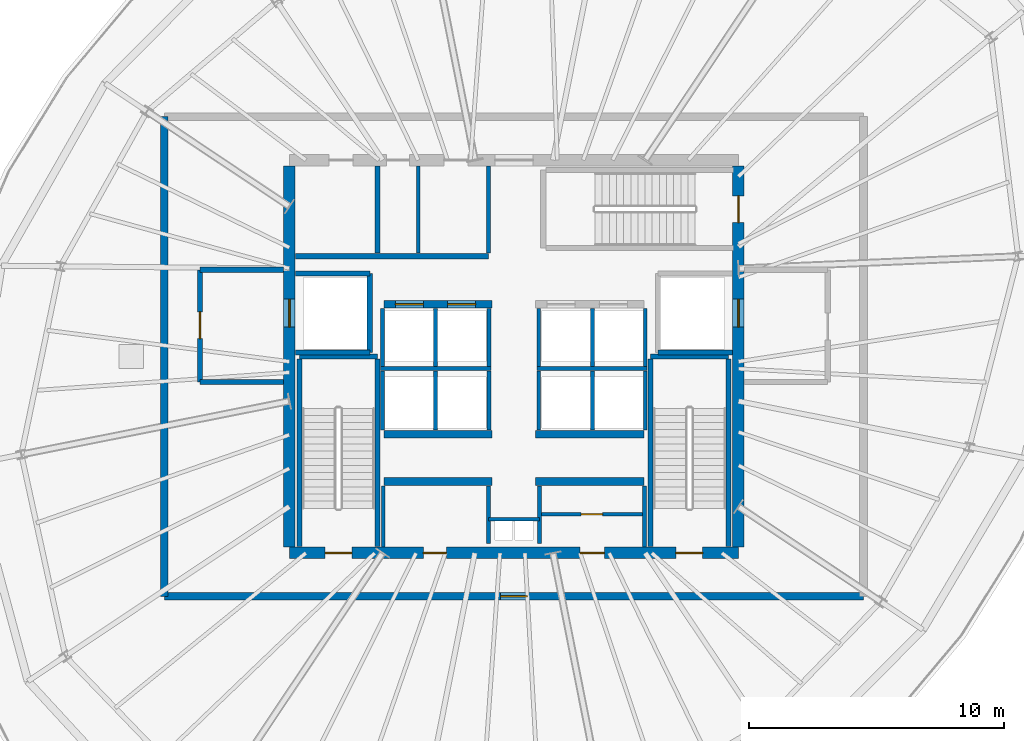
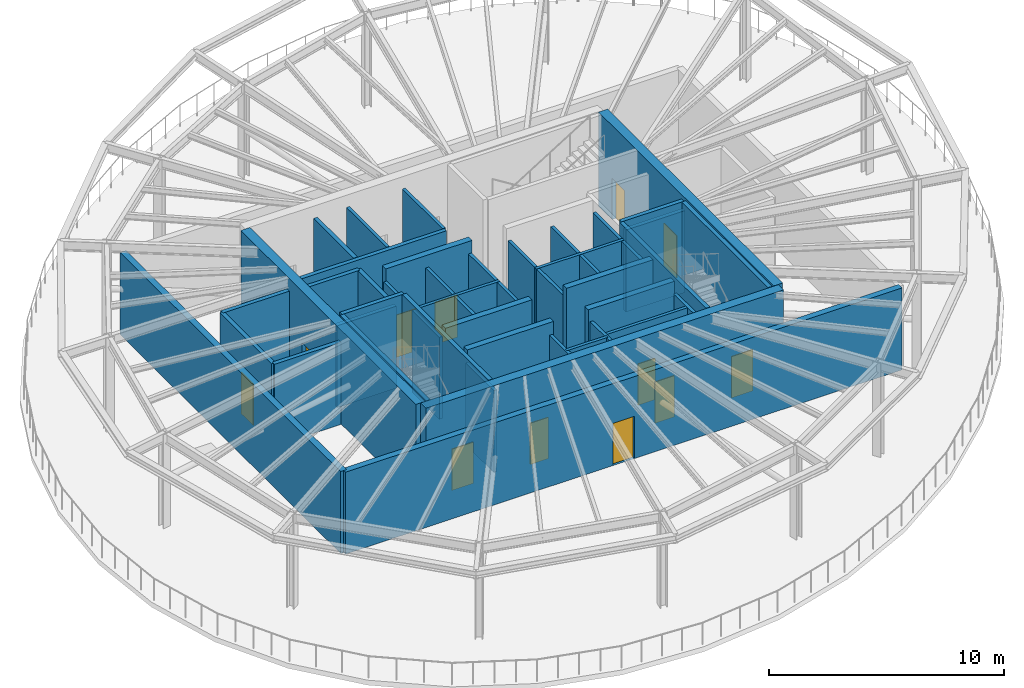
# One storey, part 4 of 8: 47 walls, 12 doors, 12 openings.
"""IFC4 building model written with IfcOpenShell, lengths in metres."""

from ifc_helpers import new_model, si_unit, direction, frame, frame_2d, origin, place, context, subcontext, project, spatial, rectangle, extrude, source, transform, mapped, material, layer, layer_set, type_object, element, fill, save


model = new_model("IFC4")

# Units and contexts
model_context = context("Model", 3, precision=1e-05, world=origin(), true_north=direction((0.0, 1.0)))
body_context = subcontext(model_context, "Body", "Model", "MODEL_VIEW")
ifc_project = project(units=[si_unit("LENGTHUNIT", "METRE"), si_unit("AREAUNIT", "SQUARE_METRE"), si_unit("VOLUMEUNIT", "CUBIC_METRE"), si_unit("PLANEANGLEUNIT", "RADIAN"), si_unit("MASSUNIT", "GRAM", prefix="KILO"), si_unit("THERMODYNAMICTEMPERATUREUNIT", "KELVIN")], contexts=[model_context])

# Site, building, storey
site_placement = place(None, origin())
site = spatial("IfcSite", under=ifc_project, at=site_placement, CompositionType="ELEMENT")
building_placement = place(site_placement, origin())
building = spatial("IfcBuilding", under=site, at=building_placement, Name="Kethvar Cultural Tower", CompositionType="ELEMENT")
storey_placement = place(building_placement, frame((0.0, 0.0, 218.39990234375)))
storey = spatial("IfcBuildingStorey", under=building, at=storey_placement, Name="L57", CompositionType="ELEMENT", Elevation=218.39990234375)

# Wall, openings, doors
ifc_material_1 = material(Name="Concrete C50/60", Category="concrete")
ifc_layer_1 = layer(ifc_material_1, 0.449951171875, Name="Concrete C50/60", Category="concrete")
ifc_layer_set_1 = layer_set([ifc_layer_1], Name="Concrete C50/60 (450 mm)")
wall_type_1 = type_object("IfcWallType", Name="WL-CORE-450", PredefinedType="SHEAR", material=ifc_layer_set_1)
wall_1_placement = place(storey_placement, frame((38.0, 20.10009765625, 0.0), z_axis=(0.0, 0.0, 1.0), x_axis=(1.0, 0.0, 0.0)))
wall_1 = element("IfcWall", 1, at=wall_1_placement, inside=storey, type_object=wall_type_1, Name="L57 Core Shear Wall S", PredefinedType="SHEAR", context=body_context, shape_type="SweptSolid", body=[
    extrude(rectangle(XDim=17.60009765625, YDim=0.449951171875, at=frame_2d((8.800048828125, 0.0))), origin(), (0.0, 0.0, 1.0), 4.89013671875),
])
opening_1_placement = place(wall_1_placement, frame((1.39990234375, 0.0, 0.0)))
opening_1 = element("IfcOpeningElement", 2, at=opening_1_placement, cuts=wall_1, Name="Opening D-L57-S1", PredefinedType="OPENING", context=body_context, shape_type="SweptSolid", body=[
    extrude(rectangle(XDim=1.050048828125, YDim=2.14990234375, at=frame_2d((0.52490234375, 1.074951171875))), frame((0.0, 0.23486328125, 0.0), z_axis=(0.0, -1.0, 0.0), x_axis=(1.0, 0.0, 0.0)), (0.0, 0.0, 1.0), 0.469970703125),
])
opening_2_placement = place(wall_1_placement, frame((15.14990234375, 0.0, 0.0)))
opening_2 = element("IfcOpeningElement", 3, at=opening_2_placement, cuts=wall_1, Name="Opening D-L57-ST2", PredefinedType="OPENING", context=body_context, shape_type="SweptSolid", body=[
    extrude(rectangle(XDim=1.050048828125, YDim=2.14990234375, at=frame_2d((0.52490234375, 1.074951171875))), frame((0.0, 0.23486328125, 0.0), z_axis=(0.0, -1.0, 0.0), x_axis=(1.0, 0.0, 0.0)), (0.0, 0.0, 1.0), 0.469970703125),
])
opening_3_placement = place(wall_1_placement, frame((5.25, 0.0, 0.0)))
opening_3 = element("IfcOpeningElement", 4, at=opening_3_placement, cuts=wall_1, Name="Opening D-L57-V1", PredefinedType="OPENING", context=body_context, shape_type="SweptSolid", body=[
    extrude(rectangle(XDim=0.89990234375, YDim=2.14990234375, at=frame_2d((0.449951171875, 1.074951171875))), frame((0.0, 0.23486328125, 0.0), z_axis=(0.0, -1.0, 0.0), x_axis=(1.0, 0.0, 0.0)), (0.0, 0.0, 1.0), 0.469970703125),
])
opening_4_placement = place(wall_1_placement, frame((11.39990234375, 0.0, 0.0)))
opening_4 = element("IfcOpeningElement", 5, at=opening_4_placement, cuts=wall_1, Name="Opening D-L57-V2", PredefinedType="OPENING", context=body_context, shape_type="SweptSolid", body=[
    extrude(rectangle(XDim=0.949951171875, YDim=2.14990234375, at=frame_2d((0.47509765625, 1.074951171875))), frame((0.0, 0.23486328125, 0.0), z_axis=(0.0, -1.0, 0.0), x_axis=(1.0, 0.0, 0.0)), (0.0, 0.0, 1.0), 0.469970703125),
])
ifc_material_2 = material(Name="Steel S355J2", Category="steel")
door_type_1 = type_object("IfcDoorType", Name="DR-FD60-1050", OperationType="NOTDEFINED", PredefinedType="DOOR", material=ifc_material_2)
shared_shape_1 = source(origin(), body_context, "Body", "SweptSolid", [
    extrude(rectangle(XDim=1.050048828125, YDim=2.14990234375, at=frame_2d((0.52490234375, 1.074951171875))), frame((0.0, 0.02490234375, 0.0), z_axis=(0.0, -1.0, 0.0), x_axis=(1.0, 0.0, 0.0)), (0.0, 0.0, 1.0), 0.050048828125),
])
door_1_placement = place(opening_1_placement, origin())
door_1 = element("IfcDoor", 6, at=door_1_placement, inside=storey, type_object=door_type_1, Name="L57 Exit Stair 1 Door", OperationType="SINGLE_SWING_LEFT", OverallHeight=2.14990234375, OverallWidth=1.050048828125, PredefinedType="DOOR", context=body_context, shape_type="MappedRepresentation", body=[
    mapped(shared_shape_1, transform((0.0, 0.0, 0.0), scale=1.0)),
])
fill(opening_1, door_1)
door_2_placement = place(opening_2_placement, origin())
door_2 = element("IfcDoor", 7, at=door_2_placement, inside=storey, type_object=door_type_1, Name="L57 Exit Stair 2 Door", OperationType="SINGLE_SWING_RIGHT", OverallHeight=2.14990234375, OverallWidth=1.050048828125, PredefinedType="DOOR", context=body_context, shape_type="MappedRepresentation", body=[
    mapped(shared_shape_1, transform((0.0, 0.0, 0.0), scale=1.0)),
])
fill(opening_2, door_2)
ifc_material_3 = material(Name="Architectural Oak Timber", Category="wood")
door_type_2 = type_object("IfcDoorType", Name="DR-FD30-950", OperationType="NOTDEFINED", PredefinedType="DOOR", material=ifc_material_3)
shared_shape_2 = source(origin(), body_context, "Body", "SweptSolid", [
    extrude(rectangle(XDim=0.949951171875, YDim=2.14990234375, at=frame_2d((0.47509765625, 1.074951171875))), frame((0.0, 0.02490234375, 0.0), z_axis=(0.0, -1.0, 0.0), x_axis=(1.0, 0.0, 0.0)), (0.0, 0.0, 1.0), 0.050048828125),
])
door_3_placement = place(opening_4_placement, origin())
door_3 = element("IfcDoor", 8, at=door_3_placement, inside=storey, type_object=door_type_2, Name="L57 Bindery Supply Door", OperationType="SINGLE_SWING_RIGHT", OverallHeight=2.14990234375, OverallWidth=0.949951171875, PredefinedType="DOOR", context=body_context, shape_type="MappedRepresentation", body=[
    mapped(shared_shape_2, transform((0.0, 0.0, 0.0), scale=1.0)),
])
fill(opening_4, door_3)
door_type_3 = type_object("IfcDoorType", Name="DR-FD30-900", OperationType="NOTDEFINED", PredefinedType="DOOR", material=ifc_material_3)
shared_shape_3 = source(origin(), body_context, "Body", "SweptSolid", [
    extrude(rectangle(XDim=0.89990234375, YDim=2.14990234375, at=frame_2d((0.449951171875, 1.074951171875))), frame((0.0, 0.02490234375, 0.0), z_axis=(0.0, -1.0, 0.0), x_axis=(1.0, 0.0, 0.0)), (0.0, 0.0, 1.0), 0.050048828125),
])
door_4_placement = place(opening_3_placement, origin())
door_4 = element("IfcDoor", 9, at=door_4_placement, inside=storey, type_object=door_type_3, Name="L57 Folio Vault Door", OperationType="SINGLE_SWING_LEFT", OverallHeight=2.14990234375, OverallWidth=0.89990234375, PredefinedType="DOOR", context=body_context, shape_type="MappedRepresentation", body=[
    mapped(shared_shape_3, transform((0.0, 0.0, 0.0), scale=1.0)),
])
fill(opening_3, door_4)

# Wall, opening, door
wall_2_placement = place(storey_placement, frame((38.0, 35.260009765625, 0.0), z_axis=(0.0, 0.0, 1.0), x_axis=(0.0, -1.0, 0.0)))
wall_2 = element("IfcWall", 10, at=wall_2_placement, inside=storey, type_object=wall_type_1, Name="L57 Core Shear Wall W", PredefinedType="SHEAR", context=body_context, shape_type="SweptSolid", body=[
    extrude(rectangle(XDim=14.919921875, YDim=0.449951171875, at=frame_2d((7.4599609375, 0.0))), origin(), (0.0, 0.0, 1.0), 4.89013671875),
])
opening_5_placement = place(wall_2_placement, frame((5.2099609375, 0.0, 0.0)))
opening_5 = element("IfcOpeningElement", 11, at=opening_5_placement, cuts=wall_2, Name="Opening LD-1", PredefinedType="OPENING", context=body_context, shape_type="SweptSolid", body=[
    extrude(rectangle(XDim=1.10009765625, YDim=2.199951171875, at=frame_2d((0.550048828125, 1.10009765625))), frame((0.0, 0.23486328125, 0.0), z_axis=(0.0, -1.0, 0.0), x_axis=(1.0, 0.0, 0.0)), (0.0, 0.0, 1.0), 0.469970703125),
])
door_type_4 = type_object("IfcDoorType", Name="DR-LIFT-SLIDE-1100", OperationType="NOTDEFINED", PredefinedType="DOOR", material=ifc_material_2)
shared_shape_4 = source(origin(), body_context, "Body", "SweptSolid", [
    extrude(rectangle(XDim=1.10009765625, YDim=2.199951171875, at=frame_2d((0.550048828125, 1.10009765625))), frame((0.0, 0.02490234375, 0.0), z_axis=(0.0, -1.0, 0.0), x_axis=(1.0, 0.0, 0.0)), (0.0, 0.0, 1.0), 0.050048828125),
])
door_5_placement = place(opening_5_placement, origin())
door_5 = element("IfcDoor", 12, at=door_5_placement, inside=storey, type_object=door_type_4, Name="L57 Firefighting Lift Landing Door FFL-01", OperationType="SLIDING_TO_LEFT", OverallHeight=2.199951171875, OverallWidth=1.10009765625, PredefinedType="DOOR", context=body_context, shape_type="MappedRepresentation", body=[
    mapped(shared_shape_4, transform((0.0, 0.0, 0.0), scale=1.0)),
])
fill(opening_5, door_5)

# Wall, openings, doors
wall_3_placement = place(storey_placement, frame((55.60009765625, 20.340087890625, 0.0), z_axis=(0.0, 0.0, 1.0), x_axis=(0.0, 1.0, 0.0)))
wall_3 = element("IfcWall", 13, at=wall_3_placement, inside=storey, type_object=wall_type_1, Name="L57 Core Shear Wall E", PredefinedType="SHEAR", context=body_context, shape_type="SweptSolid", body=[
    extrude(rectangle(XDim=14.919921875, YDim=0.449951171875, at=frame_2d((7.4599609375, 0.0))), origin(), (0.0, 0.0, 1.0), 4.89013671875),
])
opening_6_placement = place(wall_3_placement, frame((12.7099609375, 0.0, 0.0)))
opening_6 = element("IfcOpeningElement", 14, at=opening_6_placement, cuts=wall_3, Name="Opening D-L57-S3", PredefinedType="OPENING", context=body_context, shape_type="SweptSolid", body=[
    extrude(rectangle(XDim=1.050048828125, YDim=2.14990234375, at=frame_2d((0.52490234375, 1.074951171875))), frame((0.0, 0.23486328125, 0.0), z_axis=(0.0, -1.0, 0.0), x_axis=(1.0, 0.0, 0.0)), (0.0, 0.0, 1.0), 0.469970703125),
])
opening_7_placement = place(wall_3_placement, frame((8.610107421875, 0.0, 0.0)))
opening_7 = element("IfcOpeningElement", 15, at=opening_7_placement, cuts=wall_3, Name="Opening LD-2", PredefinedType="OPENING", context=body_context, shape_type="SweptSolid", body=[
    extrude(rectangle(XDim=1.10009765625, YDim=2.199951171875, at=frame_2d((0.550048828125, 1.10009765625))), frame((0.0, 0.23486328125, 0.0), z_axis=(0.0, -1.0, 0.0), x_axis=(1.0, 0.0, 0.0)), (0.0, 0.0, 1.0), 0.469970703125),
])
door_6_placement = place(opening_6_placement, origin())
door_6 = element("IfcDoor", 16, at=door_6_placement, inside=storey, type_object=door_type_1, Name="L57 Exit Stair 3 Door", OperationType="SINGLE_SWING_LEFT", OverallHeight=2.14990234375, OverallWidth=1.050048828125, PredefinedType="DOOR", context=body_context, shape_type="MappedRepresentation", body=[
    mapped(shared_shape_1, transform((0.0, 0.0, 0.0), scale=1.0)),
])
fill(opening_6, door_6)
door_7_placement = place(opening_7_placement, origin())
door_7 = element("IfcDoor", 17, at=door_7_placement, inside=storey, type_object=door_type_4, Name="L57 Firefighting Lift Landing Door FFL-02", OperationType="SLIDING_TO_RIGHT", OverallHeight=2.199951171875, OverallWidth=1.10009765625, PredefinedType="DOOR", context=body_context, shape_type="MappedRepresentation", body=[
    mapped(shared_shape_4, transform((0.0, 0.0, 0.0), scale=1.0)),
])
fill(opening_7, door_7)

# Wall, opening, door
ifc_material_4 = material(Name="Concrete C40/50", Category="concrete")
ifc_layer_2 = layer(ifc_material_4, 0.300048828125, Name="Concrete C40/50", Category="concrete")
ifc_layer_set_2 = layer_set([ifc_layer_2], Name="Concrete C40/50 (300 mm)")
wall_type_2 = type_object("IfcWallType", Name="WL-EXT-TER-300", PredefinedType="SOLIDWALL", material=ifc_layer_set_2)
wall_4_placement = place(storey_placement, frame((33.10009765625, 18.39990234375, 0.0), z_axis=(0.0, 0.0, 1.0), x_axis=(1.0, 0.0, 0.0)))
wall_4 = element("IfcWall", 18, at=wall_4_placement, inside=storey, type_object=wall_type_2, Name="L57 Wind-Floor Weather Enclosure Wall S", PredefinedType="SOLIDWALL", context=body_context, shape_type="SweptSolid", body=[
    extrude(rectangle(XDim=27.39990234375, YDim=0.300048828125, at=frame_2d((13.699951171875, 0.0))), origin(), (0.0, 0.0, 1.0), 4.26513671875),
])
opening_8_placement = place(wall_4_placement, frame((13.175048828125, 0.0, 0.0)))
opening_8 = element("IfcOpeningElement", 19, at=opening_8_placement, cuts=wall_4, Name="Opening D-L57-WD1", PredefinedType="OPENING", context=body_context, shape_type="SweptSolid", body=[
    extrude(rectangle(XDim=1.050048828125, YDim=2.199951171875, at=frame_2d((0.52490234375, 1.10009765625))), frame((0.0, 0.159912109375, 0.0), z_axis=(0.0, -1.0, 0.0), x_axis=(1.0, 0.0, 0.0)), (0.0, 0.0, 1.0), 0.320068359375),
])
ifc_material_5 = material(Name="Aluminium 6063-T6", Category="aluminium")
door_type_5 = type_object("IfcDoorType", Name="DR-EXT-TER-1050", OperationType="NOTDEFINED", PredefinedType="DOOR", material=ifc_material_5)
shared_shape_5 = source(origin(), body_context, "Body", "SweptSolid", [
    extrude(rectangle(XDim=1.050048828125, YDim=2.199951171875, at=frame_2d((0.52490234375, 1.10009765625))), frame((0.0, 0.02490234375, 0.0), z_axis=(0.0, -1.0, 0.0), x_axis=(1.0, 0.0, 0.0)), (0.0, 0.0, 1.0), 0.050048828125),
])
door_8_placement = place(opening_8_placement, origin())
door_8 = element("IfcDoor", 20, at=door_8_placement, inside=storey, type_object=door_type_5, Name="L57 Wind-Floor Maintenance Access Door", OperationType="SINGLE_SWING_LEFT", OverallHeight=2.199951171875, OverallWidth=1.050048828125, PredefinedType="DOOR", context=body_context, shape_type="MappedRepresentation", body=[
    mapped(shared_shape_5, transform((0.0, 0.0, 0.0), scale=1.0)),
])
fill(opening_8, door_8)

# Walls
wall_5_placement = place(storey_placement, frame((33.10009765625, 37.199951171875, 0.0), z_axis=(0.0, 0.0, 1.0), x_axis=(0.0, -1.0, 0.0)))
element("IfcWall", 21, at=wall_5_placement, inside=storey, type_object=wall_type_2, Name="L57 Wind-Floor Weather Enclosure Wall W", PredefinedType="SOLIDWALL", context=body_context, shape_type="SweptSolid", body=[
    extrude(rectangle(XDim=18.800048828125, YDim=0.300048828125, at=frame_2d((9.39990234375, 0.0))), origin(), (0.0, 0.0, 1.0), 4.26513671875),
])
ifc_material_6 = material(Name="Gypsum Fireboard Partition")
ifc_layer_3 = layer(ifc_material_6, 0.14990234375, Name="Gypsum Fireboard Partition")
ifc_layer_set_3 = layer_set([ifc_layer_3], Name="Gypsum Fireboard Partition (150 mm)")
wall_type_3 = type_object("IfcWallType", Name="WL-FIRE-150", PredefinedType="PARTITIONING", material=ifc_layer_set_3)
wall_6_placement = place(storey_placement, frame((45.800048828125, 21.419921875, 0.0), z_axis=(0.0, 0.0, 1.0), x_axis=(1.0, 0.0, 0.0)))
element("IfcWall", 22, at=wall_6_placement, inside=storey, type_object=wall_type_3, Name="L57 Core Riser Wall", PredefinedType="PARTITIONING", context=body_context, shape_type="SweptSolid", body=[
    extrude(rectangle(XDim=2.0, YDim=0.14990234375, at=frame_2d((1.0, 0.0))), origin(), (0.0, 0.0, 1.0), 4.26513671875),
])
for number, where, z_axis, x_axis, name in (
    (23, (45.800048828125, 20.47998046875, 0.0), (0.0, 0.0, 1.0), (0.0, 1.0, 0.0), "L57 Core Riser West Wall"),
    (24, (47.800048828125, 20.47998046875, 0.0), (0.0, 0.0, 1.0), (0.0, 1.0, 0.0), "L57 Core Riser East Wall"),
):
    element("IfcWall", number, at=place(storey_placement, frame(where, z_axis=z_axis, x_axis=x_axis)), inside=storey, type_object=wall_type_3, Name=name, PredefinedType="PARTITIONING", context=body_context, shape_type="SweptSolid", body=[
        extrude(rectangle(XDim=2.239990234375, YDim=0.14990234375, at=frame_2d((1.1201171875, 0.0))), origin(), (0.0, 0.0, 1.0), 4.26513671875),
    ])
for number, where, z_axis, x_axis, name in (
    (25, (41.679931640625, 20.3349609375, 0.0), (0.0, 0.0, 1.0), (0.0, 1.0, 0.0), "L57 Reclaimed West Outer Wall"),
    (26, (51.919921875, 20.3349609375, 0.0), (0.0, 0.0, 1.0), (0.0, 1.0, 0.0), "L57 Reclaimed East Outer Wall"),
):
    element("IfcWall", number, at=place(storey_placement, frame(where, z_axis=z_axis, x_axis=x_axis)), inside=storey, type_object=wall_type_3, Name=name, PredefinedType="PARTITIONING", context=body_context, shape_type="SweptSolid", body=[
        extrude(rectangle(XDim=2.39501953125, YDim=0.14990234375, at=frame_2d((1.197509765625, 0.0))), origin(), (0.0, 0.0, 1.0), 4.26513671875),
    ])

# Wall, opening, door
wall_7_placement = place(storey_placement, frame((47.8798828125, 21.6201171875, 0.0), z_axis=(0.0, 0.0, 1.0), x_axis=(1.0, 0.0, 0.0)))
wall_7 = element("IfcWall", 27, at=wall_7_placement, inside=storey, type_object=wall_type_3, Name="L57 Pantry Gallery Wall E", PredefinedType="PARTITIONING", context=body_context, shape_type="SweptSolid", body=[
    extrude(rectangle(XDim=3.960205078125, YDim=0.14990234375, at=frame_2d((1.97998046875, 0.0))), origin(), (0.0, 0.0, 1.0), 4.26513671875),
])
opening_9_placement = place(wall_7_placement, frame((1.550048828125, 0.0, 0.0)))
opening_9 = element("IfcOpeningElement", 28, at=opening_9_placement, cuts=wall_7, Name="Opening D-L57-V3", PredefinedType="OPENING", context=body_context, shape_type="SweptSolid", body=[
    extrude(rectangle(XDim=0.85009765625, YDim=2.14990234375, at=frame_2d((0.425048828125, 1.074951171875))), frame((0.0, 0.0849609375, 0.0), z_axis=(0.0, -1.0, 0.0), x_axis=(1.0, 0.0, 0.0)), (0.0, 0.0, 1.0), 0.169921875),
])
door_type_6 = type_object("IfcDoorType", Name="DR-FD30-850", OperationType="NOTDEFINED", PredefinedType="DOOR", material=ifc_material_2)
shared_shape_6 = source(origin(), body_context, "Body", "SweptSolid", [
    extrude(rectangle(XDim=0.85009765625, YDim=2.14990234375, at=frame_2d((0.425048828125, 1.074951171875))), frame((0.0, 0.02490234375, 0.0), z_axis=(0.0, -1.0, 0.0), x_axis=(1.0, 0.0, 0.0)), (0.0, 0.0, 1.0), 0.050048828125),
])
door_9_placement = place(opening_9_placement, origin())
door_9 = element("IfcDoor", 29, at=door_9_placement, inside=storey, type_object=door_type_6, Name="L57 Inner Pantry Gallery Door", OperationType="SINGLE_SWING_RIGHT", OverallHeight=2.14990234375, OverallWidth=0.85009765625, PredefinedType="DOOR", context=body_context, shape_type="MappedRepresentation", body=[
    mapped(shared_shape_6, transform((0.0, 0.0, 0.0), scale=1.0)),
])
fill(opening_9, door_9)

# Walls
wall_8_placement = place(storey_placement, frame((41.580078125, 27.324951171875, 0.0), z_axis=(0.0, 0.0, 1.0), x_axis=(1.0, 0.0, 0.0)))
element("IfcWall", 30, at=wall_8_placement, inside=storey, type_object=wall_type_3, Name="L57 Mid-High Lift Shaft Back Wall W", PredefinedType="PARTITIONING", context=body_context, shape_type="SweptSolid", body=[
    extrude(rectangle(XDim=4.31982421875, YDim=0.14990234375, at=frame_2d((2.159912109375, 0.0))), origin(), (0.0, 0.0, 1.0), 4.26513671875),
])
wall_9_placement = place(storey_placement, frame((47.699951171875, 27.324951171875, 0.0), z_axis=(0.0, 0.0, 1.0), x_axis=(1.0, 0.0, 0.0)))
element("IfcWall", 31, at=wall_9_placement, inside=storey, type_object=wall_type_3, Name="L57 Mid-High Lift Shaft Back Wall E", PredefinedType="PARTITIONING", context=body_context, shape_type="SweptSolid", body=[
    extrude(rectangle(XDim=4.320068359375, YDim=0.14990234375, at=frame_2d((2.16015625, 0.0))), origin(), (0.0, 0.0, 1.0), 4.26513671875),
])
for number, where, z_axis, x_axis, name in (
    (32, (41.64990234375, 24.919921875, 0.0), (0.0, 0.0, 1.0), (0.0, 1.0, 0.0), "L57 Mid-Rise Lift Shaft Outer Wall W"),
    (33, (43.72509765625, 24.919921875, 0.0), (0.0, 0.0, 1.0), (0.0, 1.0, 0.0), "L57 Mid-Rise Lift Shaft Divider W"),
    (34, (45.824951171875, 24.919921875, 0.0), (0.0, 0.0, 1.0), (0.0, 1.0, 0.0), "L57 Mid-Rise Lift Shaft Concourse Wall W"),
    (35, (47.77490234375, 24.919921875, 0.0), (0.0, 0.0, 1.0), (0.0, 1.0, 0.0), "L57 Mid-Rise Lift Shaft Concourse Wall E"),
    (36, (49.875, 24.919921875, 0.0), (0.0, 0.0, 1.0), (0.0, 1.0, 0.0), "L57 Mid-Rise Lift Shaft Divider E"),
    (37, (51.949951171875, 24.919921875, 0.0), (0.0, 0.0, 1.0), (0.0, 1.0, 0.0), "L57 Mid-Rise Lift Shaft Outer Wall E"),
):
    element("IfcWall", number, at=place(storey_placement, frame(where, z_axis=z_axis, x_axis=x_axis)), inside=storey, type_object=wall_type_3, Name=name, PredefinedType="PARTITIONING", context=body_context, shape_type="SweptSolid", body=[
        extrude(rectangle(XDim=2.320068359375, YDim=0.14990234375, at=frame_2d((1.16015625, 0.0))), origin(), (0.0, 0.0, 1.0), 4.26513671875),
    ])
for number, where, z_axis, x_axis, name in (
    (38, (41.64990234375, 27.409912109375, 0.0), (0.0, 0.0, 1.0), (0.0, 1.0, 0.0), "L57 High-Rise Lift Shaft Outer Wall W"),
    (39, (43.72509765625, 27.409912109375, 0.0), (0.0, 0.0, 1.0), (0.0, 1.0, 0.0), "L57 High-Rise Lift Shaft Divider W"),
    (40, (45.824951171875, 27.409912109375, 0.0), (0.0, 0.0, 1.0), (0.0, 1.0, 0.0), "L57 High-Rise Lift Shaft Concourse Wall W"),
    (41, (47.77490234375, 27.409912109375, 0.0), (0.0, 0.0, 1.0), (0.0, 1.0, 0.0), "L57 High-Rise Lift Shaft Concourse Wall E"),
    (42, (49.875, 27.409912109375, 0.0), (0.0, 0.0, 1.0), (0.0, 1.0, 0.0), "L57 High-Rise Lift Shaft Divider E"),
    (43, (51.949951171875, 27.409912109375, 0.0), (0.0, 0.0, 1.0), (0.0, 1.0, 0.0), "L57 High-Rise Lift Shaft Outer Wall E"),
):
    element("IfcWall", number, at=place(storey_placement, frame(where, z_axis=z_axis, x_axis=x_axis)), inside=storey, type_object=wall_type_3, Name=name, PredefinedType="PARTITIONING", context=body_context, shape_type="SweptSolid", body=[
        extrude(rectangle(XDim=2.27001953125, YDim=0.14990234375, at=frame_2d((1.135009765625, 0.0))), origin(), (0.0, 0.0, 1.0), 4.26513671875),
    ])
wall_10_placement = place(storey_placement, frame((45.800048828125, 31.85009765625, 0.0), z_axis=(0.0, 0.0, 1.0), x_axis=(0.0, 1.0, 0.0)))
element("IfcWall", 44, at=wall_10_placement, inside=storey, type_object=wall_type_3, Name="L57 Sanitary Spine Wall", PredefinedType="PARTITIONING", context=body_context, shape_type="SweptSolid", body=[
    extrude(rectangle(XDim=3.414794921875, YDim=0.14990234375, at=frame_2d((1.70751953125, 0.0))), origin(), (0.0, 0.0, 1.0), 4.26513671875),
])
ifc_layer_4 = layer(ifc_material_4, 0.199951171875, Name="Concrete C40/50", Category="concrete")
ifc_layer_set_4 = layer_set([ifc_layer_4], Name="Concrete C40/50 (200 mm)")
wall_type_4 = type_object("IfcWallType", Name="WL-FIRE-200", PredefinedType="PARTITIONING", material=ifc_layer_set_4)
wall_11_placement = place(storey_placement, frame((41.14990234375, 27.949951171875, 0.0), z_axis=(0.0, 0.0, 1.0), x_axis=(0.0, 1.0, 0.0)))
element("IfcWall", 45, at=wall_11_placement, inside=storey, type_object=wall_type_4, Name="L57 FFL-01 Shaft Inner Wall", PredefinedType="PARTITIONING", context=body_context, shape_type="SweptSolid", body=[
    extrude(rectangle(XDim=3.10009765625, YDim=0.199951171875, at=frame_2d((1.550048828125, 0.0))), origin(), (0.0, 0.0, 1.0), 4.26513671875),
])
for number, where, z_axis, x_axis, name in (
    (46, (38.235107421875, 27.949951171875, 0.0), (0.0, 0.0, 1.0), (1.0, 0.0, 0.0), "L57 FFL-01 Shaft South Wall"),
    (47, (38.235107421875, 31.050048828125, 0.0), (0.0, 0.0, 1.0), (1.0, 0.0, 0.0), "L57 FFL-01 Shaft North Wall"),
):
    element("IfcWall", number, at=place(storey_placement, frame(where, z_axis=z_axis, x_axis=x_axis)), inside=storey, type_object=wall_type_4, Name=name, PredefinedType="PARTITIONING", context=body_context, shape_type="SweptSolid", body=[
        extrude(rectangle(XDim=2.914794921875, YDim=0.199951171875, at=frame_2d((1.45751953125, 0.0))), origin(), (0.0, 0.0, 1.0), 4.26513671875),
    ])

# Wall, opening, door
wall_12_placement = place(storey_placement, frame((34.5, 31.199951171875, 0.0), z_axis=(0.0, 0.0, 1.0), x_axis=(0.0, -1.0, 0.0)))
wall_12 = element("IfcWall", 48, at=wall_12_placement, inside=storey, type_object=wall_type_4, Name="L57 Firefighting Lobby 1 Wall", PredefinedType="PARTITIONING", context=body_context, shape_type="SweptSolid", body=[
    extrude(rectangle(XDim=4.39990234375, YDim=0.199951171875, at=frame_2d((2.199951171875, 0.0))), origin(), (0.0, 0.0, 1.0), 4.26513671875),
])
opening_10_placement = place(wall_12_placement, frame((1.64990234375, 0.0, 0.0)))
opening_10 = element("IfcOpeningElement", 49, at=opening_10_placement, cuts=wall_12, Name="Opening D-L57-F1", PredefinedType="OPENING", context=body_context, shape_type="SweptSolid", body=[
    extrude(rectangle(XDim=1.050048828125, YDim=2.14990234375, at=frame_2d((0.52490234375, 1.074951171875))), frame((0.0, 0.10986328125, 0.0), z_axis=(0.0, -1.0, 0.0), x_axis=(1.0, 0.0, 0.0)), (0.0, 0.0, 1.0), 0.219970703125),
])
door_10_placement = place(opening_10_placement, origin())
door_10 = element("IfcDoor", 50, at=door_10_placement, inside=storey, type_object=door_type_1, Name="L57 Firefighting Lobby 1 Fire Door", OperationType="SINGLE_SWING_LEFT", OverallHeight=2.14990234375, OverallWidth=1.050048828125, PredefinedType="DOOR", context=body_context, shape_type="MappedRepresentation", body=[
    mapped(shared_shape_1, transform((0.0, 0.0, 0.0), scale=1.0)),
])
fill(opening_10, door_10)

# Walls
for number, where, z_axis, x_axis, name in (
    (51, (34.5, 26.800048828125, 0.0), (0.0, 0.0, 1.0), (1.0, 0.0, 0.0), "L57 FF Lobby 1 South Wall"),
    (52, (34.5, 31.199951171875, 0.0), (0.0, 0.0, 1.0), (1.0, 0.0, 0.0), "L57 FF Lobby 1 North Wall"),
):
    element("IfcWall", number, at=place(storey_placement, frame(where, z_axis=z_axis, x_axis=x_axis)), inside=storey, type_object=wall_type_4, Name=name, PredefinedType="PARTITIONING", context=body_context, shape_type="SweptSolid", body=[
        extrude(rectangle(XDim=3.264892578125, YDim=0.199951171875, at=frame_2d((1.63232421875, 0.0))), origin(), (0.0, 0.0, 1.0), 4.26513671875),
    ])
wall_13_placement = place(storey_placement, frame((52.449951171875, 27.949951171875, 0.0), z_axis=(0.0, 0.0, 1.0), x_axis=(1.0, 0.0, 0.0)))
element("IfcWall", 53, at=wall_13_placement, inside=storey, type_object=wall_type_4, Name="L57 FFL-02 Shaft South Wall", PredefinedType="PARTITIONING", context=body_context, shape_type="SweptSolid", body=[
    extrude(rectangle(XDim=2.9150390625, YDim=0.199951171875, at=frame_2d((1.45751953125, 0.0))), origin(), (0.0, 0.0, 1.0), 4.26513671875),
])
wall_14_placement = place(storey_placement, frame((41.449951171875, 31.85009765625, 0.0), z_axis=(0.0, 0.0, 1.0), x_axis=(0.0, 1.0, 0.0)))
element("IfcWall", 54, at=wall_14_placement, inside=storey, type_object=wall_type_4, Name="L57 NW Core Pocket Wall", PredefinedType="PARTITIONING", context=body_context, shape_type="SweptSolid", body=[
    extrude(rectangle(XDim=3.414794921875, YDim=0.199951171875, at=frame_2d((1.70751953125, 0.0))), origin(), (0.0, 0.0, 1.0), 4.26513671875),
])
wall_15_placement = place(storey_placement, frame((38.235107421875, 31.72998046875, 0.0), z_axis=(0.0, 0.0, 1.0), x_axis=(1.0, 0.0, 0.0)))
element("IfcWall", 55, at=wall_15_placement, inside=storey, type_object=wall_type_4, Name="L57 North Core Sanitary South Wall", PredefinedType="PARTITIONING", context=body_context, shape_type="SweptSolid", body=[
    extrude(rectangle(XDim=7.56494140625, YDim=0.199951171875, at=frame_2d((3.782470703125, 0.0))), origin(), (0.0, 0.0, 1.0), 4.26513671875),
])
ifc_material_7 = material(Name="Moisture-Resistant Sanitary Chase Wall")
ifc_layer_5 = layer(ifc_material_7, 0.14990234375, Name="Moisture-Resistant Sanitary Chase Wall")
ifc_layer_set_5 = layer_set([ifc_layer_5], Name="Moisture-Resistant Sanitary Chase Wall (150 mm)")
wall_type_5 = type_object("IfcWallType", Name="WL-PLUMB-150", PredefinedType="PLUMBINGWALL", material=ifc_layer_set_5)
wall_16_placement = place(storey_placement, frame((43.050048828125, 31.85009765625, 0.0), z_axis=(0.0, 0.0, 1.0), x_axis=(0.0, 1.0, 0.0)))
element("IfcWall", 56, at=wall_16_placement, inside=storey, type_object=wall_type_5, Name="L57 Sanitary Plumbing Wall", PredefinedType="PLUMBINGWALL", context=body_context, shape_type="SweptSolid", body=[
    extrude(rectangle(XDim=3.414794921875, YDim=0.14990234375, at=frame_2d((1.70751953125, 0.0))), origin(), (0.0, 0.0, 1.0), 4.26513671875),
])
ifc_layer_6 = layer(ifc_material_1, 0.300048828125, Name="Concrete C50/60", Category="concrete")
ifc_layer_set_6 = layer_set([ifc_layer_6], Name="Concrete C50/60 (300 mm)")
wall_type_6 = type_object("IfcWallType", Name="WL-SHAFT-300", PredefinedType="SHEAR", material=ifc_layer_set_6)
for number, where, z_axis, x_axis, name in (
    (57, (41.699951171875, 22.89990234375, 0.0), (0.0, 0.0, 1.0), (1.0, 0.0, 0.0), "L57 Core Lift Spine Wall MID1W"),
    (58, (47.64990234375, 22.89990234375, 0.0), (0.0, 0.0, 1.0), (1.0, 0.0, 0.0), "L57 Core Lift Spine Wall MID1E"),
    (59, (41.699951171875, 24.75, 0.0), (0.0, 0.0, 1.0), (1.0, 0.0, 0.0), "L57 Core Lift Spine Wall MID2W"),
    (60, (47.64990234375, 24.75, 0.0), (0.0, 0.0, 1.0), (1.0, 0.0, 0.0), "L57 Core Lift Spine Wall MID2E"),
):
    element("IfcWall", number, at=place(storey_placement, frame(where, z_axis=z_axis, x_axis=x_axis)), inside=storey, type_object=wall_type_6, Name=name, PredefinedType="SHEAR", context=body_context, shape_type="SweptSolid", body=[
        extrude(rectangle(XDim=4.25, YDim=0.300048828125, at=frame_2d((2.125, 0.0))), origin(), (0.0, 0.0, 1.0), 4.89013671875),
    ])

# Wall, openings, doors
wall_17_placement = place(storey_placement, frame((41.699951171875, 29.85009765625, 0.0), z_axis=(0.0, 0.0, 1.0), x_axis=(1.0, 0.0, 0.0)))
wall_17 = element("IfcWall", 61, at=wall_17_placement, inside=storey, type_object=wall_type_6, Name="L57 Core Lift Spine Wall MID3W", PredefinedType="SHEAR", context=body_context, shape_type="SweptSolid", body=[
    extrude(rectangle(XDim=4.25, YDim=0.300048828125, at=frame_2d((2.125, 0.0))), origin(), (0.0, 0.0, 1.0), 4.89013671875),
])
opening_11_placement = place(wall_17_placement, frame((0.449951171875, 0.0, 0.0)))
opening_11 = element("IfcOpeningElement", 62, at=opening_11_placement, cuts=wall_17, Name="Opening LD-H1", PredefinedType="OPENING", context=body_context, shape_type="SweptSolid", body=[
    extrude(rectangle(XDim=1.10009765625, YDim=2.199951171875, at=frame_2d((0.550048828125, 1.10009765625))), frame((0.0, 0.159912109375, 0.0), z_axis=(0.0, -1.0, 0.0), x_axis=(1.0, 0.0, 0.0)), (0.0, 0.0, 1.0), 0.320068359375),
])
opening_12_placement = place(wall_17_placement, frame((2.5, 0.0, 0.0)))
opening_12 = element("IfcOpeningElement", 63, at=opening_12_placement, cuts=wall_17, Name="Opening LD-H2", PredefinedType="OPENING", context=body_context, shape_type="SweptSolid", body=[
    extrude(rectangle(XDim=1.10009765625, YDim=2.199951171875, at=frame_2d((0.550048828125, 1.10009765625))), frame((0.0, 0.159912109375, 0.0), z_axis=(0.0, -1.0, 0.0), x_axis=(1.0, 0.0, 0.0)), (0.0, 0.0, 1.0), 0.320068359375),
])
door_11_placement = place(opening_11_placement, origin())
door_11 = element("IfcDoor", 64, at=door_11_placement, inside=storey, type_object=door_type_4, Name="L57 High-Rise Lift Landing Door H1", OperationType="SLIDING_TO_LEFT", OverallHeight=2.199951171875, OverallWidth=1.10009765625, PredefinedType="DOOR", context=body_context, shape_type="MappedRepresentation", body=[
    mapped(shared_shape_4, transform((0.0, 0.0, 0.0), scale=1.0)),
])
fill(opening_11, door_11)
door_12_placement = place(opening_12_placement, origin())
door_12 = element("IfcDoor", 65, at=door_12_placement, inside=storey, type_object=door_type_4, Name="L57 High-Rise Lift Landing Door H2", OperationType="SLIDING_TO_LEFT", OverallHeight=2.199951171875, OverallWidth=1.10009765625, PredefinedType="DOOR", context=body_context, shape_type="MappedRepresentation", body=[
    mapped(shared_shape_4, transform((0.0, 0.0, 0.0), scale=1.0)),
])
fill(opening_12, door_12)

# Walls
ifc_layer_7 = layer(ifc_material_1, 0.199951171875, Name="Concrete C50/60", Category="concrete")
ifc_layer_set_7 = layer_set([ifc_layer_7], Name="Concrete C50/60 (200 mm)")
wall_type_7 = type_object("IfcWallType", Name="WL-STSHAFT-200", PredefinedType="SHEAR", material=ifc_layer_set_7)
wall_18_placement = place(storey_placement, frame((38.389892578125, 27.800048828125, 0.0), z_axis=(0.0, 0.0, 1.0), x_axis=(1.0, 0.0, 0.0)))
element("IfcWall", 66, at=wall_18_placement, inside=storey, type_object=wall_type_7, Name="L57 ST-01 Stair Shaft Wall FAR", PredefinedType="SHEAR", context=body_context, shape_type="SweptSolid", body=[
    extrude(rectangle(XDim=3.06005859375, YDim=0.199951171875, at=frame_2d((1.530029296875, 0.0))), origin(), (0.0, 0.0, 1.0), 4.89013671875),
])
for number, where, z_axis, x_axis, name in (
    (67, (41.449951171875, 27.699951171875, 0.0), (0.0, 0.0, 1.0), (0.0, -1.0, 0.0), "L57 ST-01 Stair Shaft Wall LEFT"),
    (68, (38.389892578125, 20.35009765625, 0.0), (0.0, 0.0, 1.0), (0.0, 1.0, 0.0), "L57 ST-01 Stair Shaft Wall RIGHT"),
):
    element("IfcWall", number, at=place(storey_placement, frame(where, z_axis=z_axis, x_axis=x_axis)), inside=storey, type_object=wall_type_7, Name=name, PredefinedType="SHEAR", context=body_context, shape_type="SweptSolid", body=[
        extrude(rectangle(XDim=7.349853515625, YDim=0.199951171875, at=frame_2d((3.6748046875, 0.0))), origin(), (0.0, 0.0, 1.0), 4.89013671875),
    ])
wall_19_placement = place(storey_placement, frame((52.14990234375, 27.800048828125, 0.0), z_axis=(0.0, 0.0, 1.0), x_axis=(1.0, 0.0, 0.0)))
element("IfcWall", 69, at=wall_19_placement, inside=storey, type_object=wall_type_7, Name="L57 ST-02 Stair Shaft Wall FAR", PredefinedType="SHEAR", context=body_context, shape_type="SweptSolid", body=[
    extrude(rectangle(XDim=3.06005859375, YDim=0.199951171875, at=frame_2d((1.530029296875, 0.0))), origin(), (0.0, 0.0, 1.0), 4.89013671875),
])
for number, where, z_axis, x_axis, name in (
    (70, (55.2099609375, 27.699951171875, 0.0), (0.0, 0.0, 1.0), (0.0, -1.0, 0.0), "L57 ST-02 Stair Shaft Wall LEFT"),
    (71, (52.14990234375, 20.35009765625, 0.0), (0.0, 0.0, 1.0), (0.0, 1.0, 0.0), "L57 ST-02 Stair Shaft Wall RIGHT"),
):
    element("IfcWall", number, at=place(storey_placement, frame(where, z_axis=z_axis, x_axis=x_axis)), inside=storey, type_object=wall_type_7, Name=name, PredefinedType="SHEAR", context=body_context, shape_type="SweptSolid", body=[
        extrude(rectangle(XDim=7.349853515625, YDim=0.199951171875, at=frame_2d((3.6748046875, 0.0))), origin(), (0.0, 0.0, 1.0), 4.89013671875),
    ])

save(model, "model.ifc")
